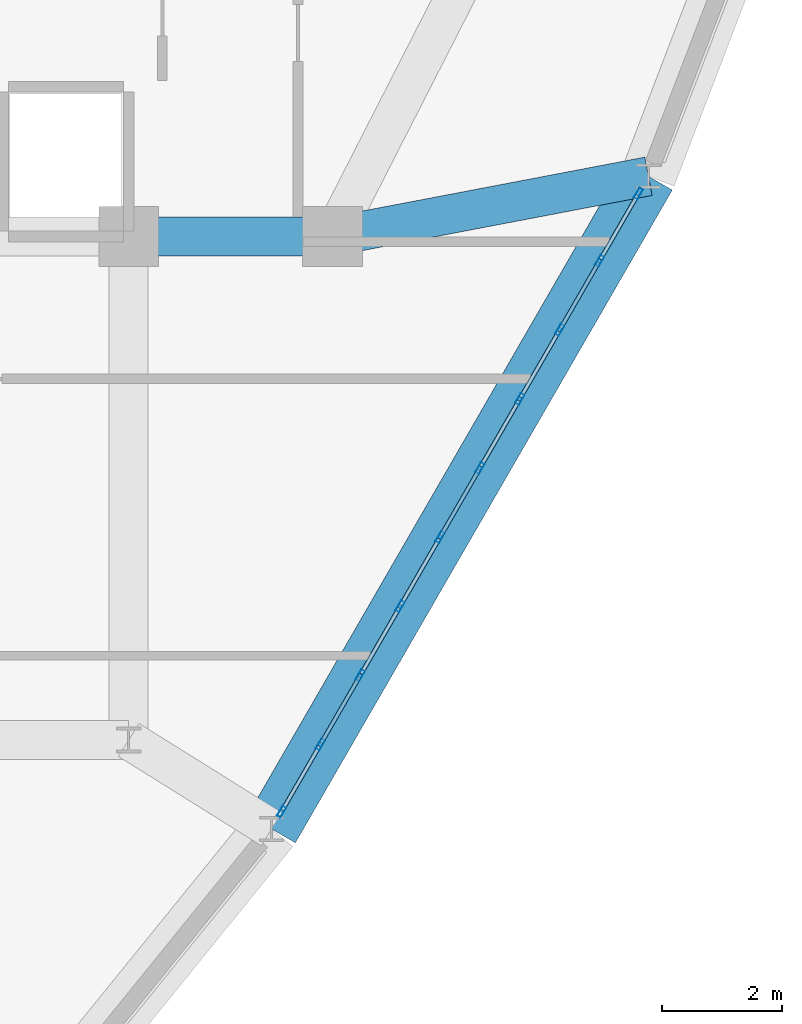
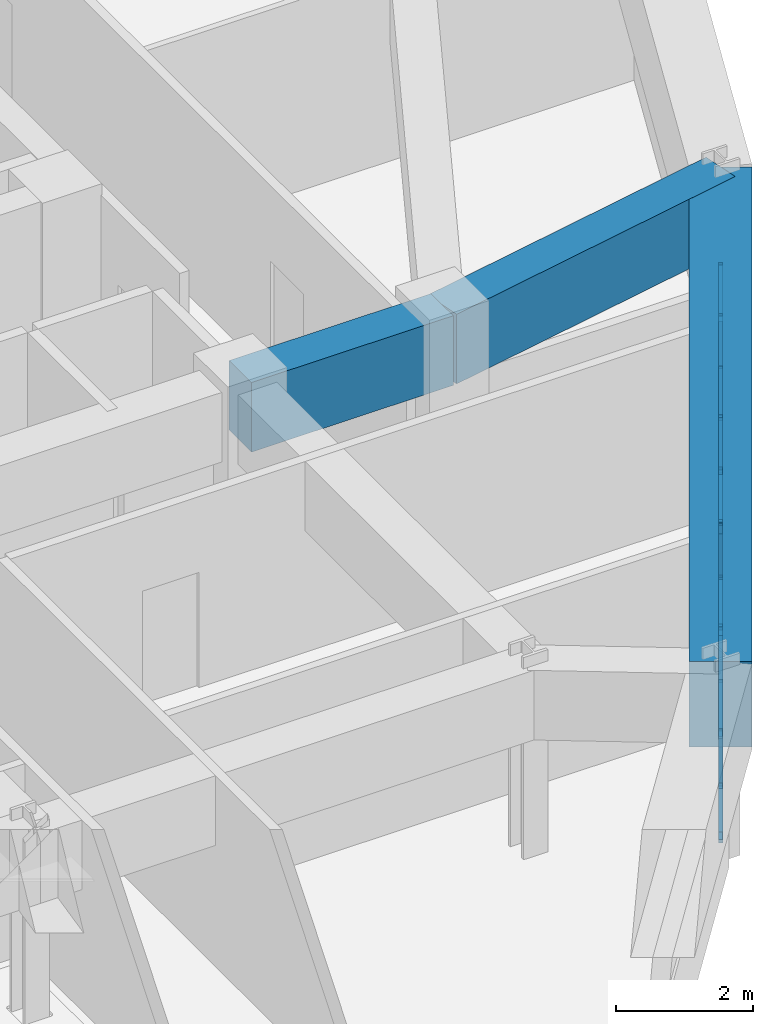
# One storey, part 6 of 13: 31 members, 3 beams, 1 element without a shape of its own.
"""IFC4 building model written with IfcOpenShell, lengths in metres."""

import ifcopenshell
import ifcopenshell.guid

model = None  # the IFC model being written
_history = None  # IfcOwnerHistory: only IFC2X3 demands one
_inside = {}  # id of a spatial element -> (the spatial element, [elements in it])
_under = {}  # id of a project, library or spatial element -> (it, [spatial elements below it])
_declared = {}  # id of a project -> (the project, [libraries it declares])
_typed = {}  # id of a type object -> (the type object, [elements of that type])
_made_of = {}  # id of a material, layer set ... -> (it, [elements and type objects made of it])


def new_model(schema):
    """Start an empty IFC model of exactly this schema.

    Asked for "IFC4X3", IfcOpenShell would pick the latest addendum, in which some entities
    have other attributes; the version numbers below select the first issue.
    IFC2X3 requires an IfcOwnerHistory on every rooted entity: one is made here for all.
    """
    global model, _history
    if schema == "IFC4X3":
        model = ifcopenshell.file(schema_version=(4, 3, 0, 0))
    else:
        model = ifcopenshell.file(schema=schema)
    _inside.clear()
    _under.clear()
    _declared.clear()
    _typed.clear()
    _made_of.clear()
    _history = None
    if model.schema == "IFC2X3":
        org = make("IfcOrganization", Name="unknown")
        user = make(
            "IfcPersonAndOrganization",
            ThePerson=make("IfcPerson", FamilyName="unknown"),
            TheOrganization=org,
        )
        app = make(
            "IfcApplication",
            ApplicationDeveloper=org,
            Version="unknown",
            ApplicationFullName="unknown",
            ApplicationIdentifier="unknown",
        )
        _history = make(
            "IfcOwnerHistory",
            OwningUser=user,
            OwningApplication=app,
            ChangeAction="ADDED",
            CreationDate=0,
        )
    return model


def make(cls, **values):
    """One entity of the class cls with the attributes given. An attribute that is None is left unset."""
    return model.create_entity(
        cls, **{name: value for name, value in values.items() if value is not None}
    )


def rooted(cls, **values):
    """An entity with a GlobalId (a new one), such as an element, a storey or a relation."""
    return make(cls, GlobalId=ifcopenshell.guid.new(), OwnerHistory=_history, **values)


def si_unit(unit_type, name, prefix=None):
    """IfcSIUnit, for example si_unit("LENGTHUNIT", "METRE", prefix="MILLI")."""
    return make("IfcSIUnit", UnitType=unit_type, Prefix=prefix, Name=name)


def derived_unit(unit_type, elements):
    """IfcDerivedUnit: a product of units, each with its exponent."""
    return make(
        "IfcDerivedUnit",
        Elements=[
            make("IfcDerivedUnitElement", Unit=unit, Exponent=power)
            for unit, power in elements
        ],
        UnitType=unit_type,
    )


def assignment(units):
    """IfcUnitAssignment: the units of a project."""
    return None if units is None else make("IfcUnitAssignment", Units=units)


def point(xyz):
    """IfcCartesianPoint."""
    return None if xyz is None else make("IfcCartesianPoint", Coordinates=xyz)


def direction(xyz):
    """IfcDirection."""
    return None if xyz is None else make("IfcDirection", DirectionRatios=xyz)


def frame(location, z_axis=None, x_axis=None):
    """IfcAxis2Placement3D, a coordinate frame: its origin and axes. An axis left out is left unset."""
    return make(
        "IfcAxis2Placement3D",
        Location=point(location),
        Axis=direction(z_axis),
        RefDirection=direction(x_axis),
    )


def frame_2d(location, x_axis=None):
    """IfcAxis2Placement2D, a coordinate frame in the plane: its origin and x axis."""
    return make(
        "IfcAxis2Placement2D", Location=point(location), RefDirection=direction(x_axis)
    )


def origin():
    """The frame at (0, 0, 0) with its axes left unset."""
    return frame((0.0, 0.0, 0.0))


def origin_2d():
    """The frame at (0, 0) in the plane with its x axis left unset."""
    return frame_2d((0.0, 0.0))


def place(relative_to, where):
    """IfcLocalPlacement: puts the frame where relative to a parent placement (None: the world)."""
    return make(
        "IfcLocalPlacement", PlacementRelTo=relative_to, RelativePlacement=where
    )


def context(
    kind, dimensions, precision=None, world=None, true_north=None, identifier=None
):
    """IfcGeometricRepresentationContext, for example the 3D "Model" context."""
    return make(
        "IfcGeometricRepresentationContext",
        ContextIdentifier=identifier,
        ContextType=kind,
        CoordinateSpaceDimension=dimensions,
        Precision=precision,
        WorldCoordinateSystem=world,
        TrueNorth=true_north,
    )


def subcontext(parent, identifier, kind, view, scale=None):
    """IfcGeometricRepresentationSubContext, for example "Body" below "Model"."""
    return make(
        "IfcGeometricRepresentationSubContext",
        ContextIdentifier=identifier,
        ContextType=kind,
        ParentContext=parent,
        TargetScale=scale,
        TargetView=view,
    )


def project(units=None, contexts=None):
    """IfcProject with its units and contexts."""
    return rooted(
        "IfcProject",
        Name="project",
        RepresentationContexts=contexts,
        UnitsInContext=assignment(units),
    )


def spatial(cls, under=None, at=None, **own):
    """A site, building, storey or space (cls), placed at a placement, below another one or the project."""
    s = rooted(cls, ObjectPlacement=at, **own)
    if under is not None:
        _under.setdefault(under.id(), (under, []))[1].append(s)
    return s


def profile(cls, at=None, kind="AREA", **sizes):
    """A parametric profile (cls). Its sizes go by their IFC names, for example OverallWidth=200.0."""
    return make(cls, ProfileType=kind, Position=at, **sizes)


def rectangle(**sizes):
    """IfcRectangleProfileDef."""
    return profile("IfcRectangleProfileDef", **sizes)


def hollow_rectangle(**sizes):
    """IfcRectangleHollowProfileDef."""
    return profile("IfcRectangleHollowProfileDef", **sizes)


def extrude(swept, where, along, depth):
    """IfcExtrudedAreaSolid: the profile swept, set in the frame where, extruded along a direction by depth."""
    return make(
        "IfcExtrudedAreaSolid",
        SweptArea=swept,
        Position=where,
        ExtrudedDirection=direction(along),
        Depth=depth,
    )


def shape(context_of_items, identifier, shape_type, items):
    """IfcShapeRepresentation: the items that make up one representation, for example the "Body"."""
    return make(
        "IfcShapeRepresentation",
        ContextOfItems=context_of_items,
        RepresentationIdentifier=identifier,
        RepresentationType=shape_type,
        Items=items,
    )


def source(mapping_origin, context_of_items, identifier, shape_type, items):
    """IfcRepresentationMap: a shape defined once, which mapped items show again and again."""
    return make(
        "IfcRepresentationMap",
        MappingOrigin=mapping_origin,
        MappedRepresentation=shape(context_of_items, identifier, shape_type, items),
    )


def transform(
    local_origin,
    x_axis=None,
    y_axis=None,
    z_axis=None,
    scale=None,
    scale2=None,
    scale3=None,
    uniform=True,
):
    """IfcCartesianTransformationOperator3D, or its non-uniform kind. x_axis, y_axis, z_axis: its Axis1, 2, 3."""
    if uniform:
        return make(
            "IfcCartesianTransformationOperator3D",
            Axis1=direction(x_axis),
            Axis2=direction(y_axis),
            LocalOrigin=point(local_origin),
            Scale=scale,
            Axis3=direction(z_axis),
        )
    return make(
        "IfcCartesianTransformationOperator3DnonUniform",
        Axis1=direction(x_axis),
        Axis2=direction(y_axis),
        LocalOrigin=point(local_origin),
        Scale=scale,
        Axis3=direction(z_axis),
        Scale2=scale2,
        Scale3=scale3,
    )


def mapped(mapping_source, mapping_target):
    """IfcMappedItem: shows the shape of a source again, moved by a transform."""
    return make(
        "IfcMappedItem", MappingSource=mapping_source, MappingTarget=mapping_target
    )


def material(Name=None, Category=None):
    """IfcMaterial."""
    return make("IfcMaterial", Name=Name, Category=Category)


def layer(
    of_material, thickness, ventilated=None, Name=None, Category=None, Priority=None
):
    """IfcMaterialLayer: one layer of a wall or slab, of a material (None: an air gap)."""
    return make(
        "IfcMaterialLayer",
        Material=of_material,
        LayerThickness=thickness,
        IsVentilated=ventilated,
        Name=Name,
        Category=Category,
        Priority=Priority,
    )


def layer_set(layers, Name=None):
    """IfcMaterialLayerSet."""
    return make("IfcMaterialLayerSet", MaterialLayers=layers, LayerSetName=Name)


def material_profile(
    of_material, cross_section, Name=None, Category=None, Priority=None
):
    """IfcMaterialProfile: a cross section and its material."""
    return make(
        "IfcMaterialProfile",
        Name=Name,
        Material=of_material,
        Profile=cross_section,
        Priority=Priority,
        Category=Category,
    )


def profile_set(profiles, Name=None, composite=None):
    """IfcMaterialProfileSet."""
    return make(
        "IfcMaterialProfileSet",
        Name=Name,
        MaterialProfiles=profiles,
        CompositeProfile=composite,
    )


def made_of(thing, what):
    """Note that an element or type object is made of a material, layer set ...; save() writes the relation."""
    if what is not None:
        _made_of.setdefault(what.id(), (what, []))[1].append(thing)
    return thing


def type_object(cls, material=None, **own):
    """A type object (cls), such as IfcWallType, which elements share."""
    return made_of(rooted(cls, **own), material)


def element(
    cls,
    number,
    at=None,
    inside=None,
    cuts=None,
    type_object=None,
    material=None,
    context=None,
    identifier="Body",
    shape_type=None,
    held_by="IfcProductDefinitionShape",
    body=None,
    shapes=None,
    **own,
):
    """One element of the class cls, such as IfcWall. Its Tag is "e" and its number.

    at: its placement. inside: the storey or other place that contains it. cuts: it is an
    opening in that element (IfcRelVoidsElement). A single representation is given by context,
    identifier, shape_type and body (its items); several are given by shapes. held_by: the class
    of the entity that holds the representations. save() writes the other relations.
    """
    e = rooted(cls, Tag="e%d" % number, ObjectPlacement=at, **own)
    if body is not None:
        shapes = [shape(context, identifier, shape_type, body)]
    if shapes is not None:
        e.Representation = make(held_by, Representations=shapes)
    if inside is not None:
        _inside.setdefault(inside.id(), (inside, []))[1].append(e)
    if cuts is not None:
        rooted(
            "IfcRelVoidsElement", RelatingBuildingElement=cuts, RelatedOpeningElement=e
        )
    if type_object is not None:
        _typed.setdefault(type_object.id(), (type_object, []))[1].append(e)
    return made_of(e, material)


def aggregate(whole, parts):
    """IfcRelAggregates: a whole, such as a stair, and the parts it consists of."""
    return rooted("IfcRelAggregates", RelatingObject=whole, RelatedObjects=parts)


def save(model, path):
    """Write the relations noted so far, then the file.

    IfcRelAggregates (storeys below a building ...), IfcRelContainedInSpatialStructure (elements
    in a storey), IfcRelDefinesByType, IfcRelAssociatesMaterial and IfcRelDeclares: one each for
    every whole, place, type object, material and project.
    """
    for whole, parts in _under.values():
        aggregate(whole, parts)
    for where, things in _inside.values():
        rooted(
            "IfcRelContainedInSpatialStructure",
            RelatedElements=things,
            RelatingStructure=where,
        )
    for kind, things in _typed.values():
        rooted("IfcRelDefinesByType", RelatedObjects=things, RelatingType=kind)
    for what, things in _made_of.values():
        rooted("IfcRelAssociatesMaterial", RelatedObjects=things, RelatingMaterial=what)
    for by, libraries in _declared.values():
        rooted("IfcRelDeclares", RelatingContext=by, RelatedDefinitions=libraries)
    model.write(path)


model = new_model("IFC4")

# Units and contexts
model_context = context("Model", 3, precision=1e-05, world=origin(), true_north=direction((0.0, 1.0)))
body_context = subcontext(model_context, "Body", "Model", "MODEL_VIEW")
ifc_project = project(units=[si_unit("LENGTHUNIT", "METRE"), si_unit("AREAUNIT", "SQUARE_METRE"), si_unit("VOLUMEUNIT", "CUBIC_METRE"), si_unit("PLANEANGLEUNIT", "RADIAN"), si_unit("MASSUNIT", "GRAM", prefix="KILO"), derived_unit("THERMALTRANSMITTANCEUNIT", [(si_unit("POWERUNIT", "WATT"), 1), (si_unit("LENGTHUNIT", "METRE"), -2), (si_unit("THERMODYNAMICTEMPERATUREUNIT", "KELVIN"), -1)])], contexts=[model_context])

# Site, building, storey
site_placement = place(None, origin())
site = spatial("IfcSite", under=ifc_project, at=site_placement, CompositionType="ELEMENT")
building_placement = place(site_placement, origin())
building = spatial("IfcBuilding", under=site, at=building_placement, Name="Korsvarv Bourse and Concert Hall", CompositionType="ELEMENT")
storey_placement = place(building_placement, frame((0.0, 0.0, 179.39990234375)))
storey = spatial("IfcBuildingStorey", under=building, at=storey_placement, Name="L46", CompositionType="ELEMENT", Elevation=179.39990234375)

# Beams
ifc_material_1 = material(Name="Concrete C50/60", Category="concrete")
ifc_material_profile_1 = material_profile(ifc_material_1, rectangle(XDim=0.64990234375, YDim=1.239990234375, at=origin_2d()), Name="RC-BM 650x1240")
ifc_profile_set_1 = profile_set([ifc_material_profile_1], Name="Concrete C50/60")
beam_type_1 = type_object("IfcBeamType", Name="BM-TR-SPN", PredefinedType="BEAM", material=ifc_profile_set_1)
shared_shape_1 = source(origin(), body_context, "Body", "SweptSolid", [
    extrude(rectangle(XDim=0.64990234375, YDim=1.239990234375, at=origin_2d()), origin(), (0.0, 0.0, 1.0), 3.400146484375),
])
beam_1_placement = place(storey_placement, frame((44.39990234375, 32.39990234375, 2.780029296875), z_axis=(1.0, 0.0, 0.0), x_axis=(0.0, 1.0, 0.0)))
element("IfcBeam", 1, at=beam_1_placement, inside=storey, type_object=beam_type_1, Name="L46 beam B-TRS", PredefinedType="BEAM", context=body_context, shape_type="MappedRepresentation", body=[
    mapped(shared_shape_1, transform((0.0, 0.0, 0.0), scale=1.0)),
])
ifc_material_profile_2 = material_profile(ifc_material_1, rectangle(XDim=0.919921875, YDim=1.530029296875, at=origin_2d()), Name="RC-BM 920x1530")
ifc_profile_set_2 = profile_set([ifc_material_profile_2], Name="Concrete C50/60")
beam_type_2 = type_object("IfcBeamType", Name="BM-TR-154", PredefinedType="BEAM", material=ifc_profile_set_2)
shared_shape_2 = source(origin(), body_context, "Body", "SweptSolid", [
    extrude(rectangle(XDim=0.919921875, YDim=1.530029296875, at=origin_2d()), origin(), (0.0, 0.0, 1.0), 12.57861328125),
])
beam_2_placement = place(storey_placement, frame((46.783203125, 22.51220703125, 2.635009765625), z_axis=(0.500003032783, 0.866023652799, 0.0), x_axis=(-0.866023652799, 0.500003032783, 0.0)))
element("IfcBeam", 2, at=beam_2_placement, inside=storey, type_object=beam_type_2, Name="L46 beam B-TR6", PredefinedType="BEAM", context=body_context, shape_type="MappedRepresentation", body=[
    mapped(shared_shape_2, transform((0.0, 0.0, 0.0), scale=1.0)),
])
shared_shape_3 = source(origin(), body_context, "Body", "SweptSolid", [
    extrude(rectangle(XDim=0.64990234375, YDim=1.239990234375, at=origin_2d()), origin(), (0.0, 0.0, 1.0), 5.367431640625),
])
beam_3_placement = place(storey_placement, frame((53.072509765625, 33.405517578125, 2.780029296875), z_axis=(-0.982292753488, -0.187352465809, 0.0), x_axis=(0.187352465809, -0.982292753488, 0.0)))
element("IfcBeam", 3, at=beam_3_placement, inside=storey, type_object=beam_type_1, Name="L46 beam B-TRS", PredefinedType="BEAM", context=body_context, shape_type="MappedRepresentation", body=[
    mapped(shared_shape_3, transform((0.0, 0.0, 0.0), scale=1.0)),
])

# Curtain wall, members
ifc_material_2 = material(Name="Anodised aluminium and triple low-E glazing", Category="glass")
ifc_layer = layer(ifc_material_2, 0.199951171875)
ifc_layer_set = layer_set([ifc_layer], Name="Anodised aluminium and triple low-E glazing")
curtain_wall_type = type_object("IfcCurtainWallType", Name="CW-SYS-3", PredefinedType="NOTDEFINED", material=ifc_layer_set)
curtain_wall_placement = place(storey_placement, origin())
curtain_wall = element("IfcCurtainWall", 4, at=curtain_wall_placement, inside=storey, type_object=curtain_wall_type, Name="L46 CW3 curtain wall CW-L46-F11", PredefinedType="NOTDEFINED")
ifc_material_3 = material(Name="Extruded aluminium EN AW-6063 T66", Category="aluminium")
ifc_material_profile_3 = material_profile(ifc_material_3, hollow_rectangle(XDim=0.070068359375, YDim=0.18994140625, WallThickness=0.0048828125, at=origin_2d()), Name="ALU-M 70x190")
ifc_profile_set_3 = profile_set([ifc_material_profile_3], Name="Extruded aluminium EN AW-6063 T66")
member_type_1 = type_object("IfcMemberType", Name="CWM-190", PredefinedType="MULLION", material=ifc_profile_set_3)
shared_shape_4 = source(origin(), body_context, "Body", "SweptSolid", [
    extrude(hollow_rectangle(XDim=0.070068359375, YDim=0.18994140625, WallThickness=0.0048828125, at=origin_2d()), origin(), (0.0, 0.0, 1.0), 1.8701171875),
])
member_1_placement = place(storey_placement, frame((46.94970703125, 22.80029296875, 0.0), z_axis=(0.0, 0.0, 1.0), x_axis=(-0.866028825281, 0.499994073747, 0.0)))
member_1 = element("IfcMember", 5, at=member_1_placement, type_object=member_type_1, Name="CW3 mullion 1", PredefinedType="MULLION", context=body_context, shape_type="MappedRepresentation", body=[
    mapped(shared_shape_4, transform((0.0, 0.0, 0.0), scale=1.0)),
])
member_2_placement = place(storey_placement, frame((47.597900390625, 23.923095703125, 0.0), z_axis=(0.0, 0.0, 1.0), x_axis=(-0.866028825281, 0.499994073747, 0.0)))
member_2 = element("IfcMember", 6, at=member_2_placement, type_object=member_type_1, Name="CW3 mullion 2", PredefinedType="MULLION", context=body_context, shape_type="MappedRepresentation", body=[
    mapped(shared_shape_4, transform((0.0, 0.0, 0.0), scale=1.0)),
])
member_3_placement = place(storey_placement, frame((48.263427734375, 25.076171875, 0.0), z_axis=(0.0, 0.0, 1.0), x_axis=(-0.866028825281, 0.499994073747, 0.0)))
member_3 = element("IfcMember", 7, at=member_3_placement, type_object=member_type_1, Name="CW3 mullion 3", PredefinedType="MULLION", context=body_context, shape_type="MappedRepresentation", body=[
    mapped(shared_shape_4, transform((0.0, 0.0, 0.0), scale=1.0)),
])
member_4_placement = place(storey_placement, frame((48.92919921875, 26.229248046875, 0.0), z_axis=(0.0, 0.0, 1.0), x_axis=(-0.866028825281, 0.499994073747, 0.0)))
member_4 = element("IfcMember", 8, at=member_4_placement, type_object=member_type_1, Name="CW3 mullion 4", PredefinedType="MULLION", context=body_context, shape_type="MappedRepresentation", body=[
    mapped(shared_shape_4, transform((0.0, 0.0, 0.0), scale=1.0)),
])
member_5_placement = place(storey_placement, frame((49.594970703125, 27.38232421875, 0.0), z_axis=(0.0, 0.0, 1.0), x_axis=(-0.866028825281, 0.499994073747, 0.0)))
member_5 = element("IfcMember", 9, at=member_5_placement, type_object=member_type_1, Name="CW3 mullion 5", PredefinedType="MULLION", context=body_context, shape_type="MappedRepresentation", body=[
    mapped(shared_shape_4, transform((0.0, 0.0, 0.0), scale=1.0)),
])
member_6_placement = place(storey_placement, frame((50.260498046875, 28.535400390625, 0.0), z_axis=(0.0, 0.0, 1.0), x_axis=(-0.866028825281, 0.499994073747, 0.0)))
member_6 = element("IfcMember", 10, at=member_6_placement, type_object=member_type_1, Name="CW3 mullion 6", PredefinedType="MULLION", context=body_context, shape_type="MappedRepresentation", body=[
    mapped(shared_shape_4, transform((0.0, 0.0, 0.0), scale=1.0)),
])
member_7_placement = place(storey_placement, frame((50.92626953125, 29.6884765625, 0.0), z_axis=(0.0, 0.0, 1.0), x_axis=(-0.866028825281, 0.499994073747, 0.0)))
member_7 = element("IfcMember", 11, at=member_7_placement, type_object=member_type_1, Name="CW3 mullion 7", PredefinedType="MULLION", context=body_context, shape_type="MappedRepresentation", body=[
    mapped(shared_shape_4, transform((0.0, 0.0, 0.0), scale=1.0)),
])
member_8_placement = place(storey_placement, frame((51.592041015625, 30.84130859375, 0.0), z_axis=(0.0, 0.0, 1.0), x_axis=(-0.866028825281, 0.499994073747, 0.0)))
member_8 = element("IfcMember", 12, at=member_8_placement, type_object=member_type_1, Name="CW3 mullion 8", PredefinedType="MULLION", context=body_context, shape_type="MappedRepresentation", body=[
    mapped(shared_shape_4, transform((0.0, 0.0, 0.0), scale=1.0)),
])
member_9_placement = place(storey_placement, frame((52.2578125, 31.994384765625, 0.0), z_axis=(0.0, 0.0, 1.0), x_axis=(-0.866028825281, 0.499994073747, 0.0)))
member_9 = element("IfcMember", 13, at=member_9_placement, type_object=member_type_1, Name="CW3 mullion 9", PredefinedType="MULLION", context=body_context, shape_type="MappedRepresentation", body=[
    mapped(shared_shape_4, transform((0.0, 0.0, 0.0), scale=1.0)),
])
member_10_placement = place(storey_placement, frame((52.906005859375, 33.1171875, 0.0), z_axis=(0.0, 0.0, 1.0), x_axis=(-0.866028825281, 0.499994073747, 0.0)))
member_10 = element("IfcMember", 14, at=member_10_placement, type_object=member_type_1, Name="CW3 mullion 10", PredefinedType="MULLION", context=body_context, shape_type="MappedRepresentation", body=[
    mapped(shared_shape_4, transform((0.0, 0.0, 0.0), scale=1.0)),
])
ifc_material_profile_4 = material_profile(ifc_material_3, hollow_rectangle(XDim=0.06494140625, YDim=0.139892578125, WallThickness=0.00390625, at=origin_2d()), Name="ALU-T 65x140")
ifc_profile_set_4 = profile_set([ifc_material_profile_4], Name="Extruded aluminium EN AW-6063 T66")
member_type_2 = type_object("IfcMemberType", Name="CWT-140", PredefinedType="USERDEFINED", material=ifc_profile_set_4)
shared_shape_5 = source(origin(), body_context, "Body", "SweptSolid", [
    extrude(hollow_rectangle(XDim=0.06494140625, YDim=0.139892578125, WallThickness=0.00390625, at=origin_2d()), origin(), (0.0, 0.0, 1.0), 1.2265625),
])
member_11_placement = place(storey_placement, frame((52.275146484375, 32.024658203125, 0.03271484375), z_axis=(0.49999238347, 0.866029801145, 0.0), x_axis=(-0.866029801145, 0.49999238347, 0.0)))
member_11 = element("IfcMember", 15, at=member_11_placement, type_object=member_type_2, Name="CW3 transom 9.1", ObjectType="TRANSOM", PredefinedType="USERDEFINED", context=body_context, shape_type="MappedRepresentation", body=[
    mapped(shared_shape_5, transform((0.0, 0.0, 0.0), scale=1.0)),
])
member_12_placement = place(storey_placement, frame((52.275146484375, 32.024658203125, 1.837646484375), z_axis=(0.49999238347, 0.866029801145, 0.0), x_axis=(-0.866029801145, 0.49999238347, 0.0)))
member_12 = element("IfcMember", 16, at=member_12_placement, type_object=member_type_2, Name="CW3 transom 9.2", ObjectType="TRANSOM", PredefinedType="USERDEFINED", context=body_context, shape_type="MappedRepresentation", body=[
    mapped(shared_shape_5, transform((0.0, 0.0, 0.0), scale=1.0)),
])
shared_shape_6 = source(origin(), body_context, "Body", "SweptSolid", [
    extrude(hollow_rectangle(XDim=0.06494140625, YDim=0.139892578125, WallThickness=0.00390625, at=origin_2d()), origin(), (0.0, 0.0, 1.0), 1.26123046875),
])
member_13_placement = place(storey_placement, frame((50.278076171875, 28.565673828125, 0.03271484375), z_axis=(0.499990548297, 0.866030860659, 0.0), x_axis=(-0.866030860659, 0.499990548297, 0.0)))
member_13 = element("IfcMember", 17, at=member_13_placement, type_object=member_type_2, Name="CW3 transom 6.1", ObjectType="TRANSOM", PredefinedType="USERDEFINED", context=body_context, shape_type="MappedRepresentation", body=[
    mapped(shared_shape_6, transform((0.0, 0.0, 0.0), scale=1.0)),
])
member_14_placement = place(storey_placement, frame((50.278076171875, 28.565673828125, 1.837646484375), z_axis=(0.499990548297, 0.866030860659, 0.0), x_axis=(-0.866030860659, 0.499990548297, 0.0)))
member_14 = element("IfcMember", 18, at=member_14_placement, type_object=member_type_2, Name="CW3 transom 6.2", ObjectType="TRANSOM", PredefinedType="USERDEFINED", context=body_context, shape_type="MappedRepresentation", body=[
    mapped(shared_shape_6, transform((0.0, 0.0, 0.0), scale=1.0)),
])
member_15_placement = place(storey_placement, frame((50.94384765625, 29.71875, 0.03271484375), z_axis=(0.499990548297, 0.866030860659, 0.0), x_axis=(-0.866030860659, 0.499990548297, 0.0)))
member_15 = element("IfcMember", 19, at=member_15_placement, type_object=member_type_2, Name="CW3 transom 7.1", ObjectType="TRANSOM", PredefinedType="USERDEFINED", context=body_context, shape_type="MappedRepresentation", body=[
    mapped(shared_shape_6, transform((0.0, 0.0, 0.0), scale=1.0)),
])
member_16_placement = place(storey_placement, frame((50.94384765625, 29.71875, 1.837646484375), z_axis=(0.499990548297, 0.866030860659, 0.0), x_axis=(-0.866030860659, 0.499990548297, 0.0)))
member_16 = element("IfcMember", 20, at=member_16_placement, type_object=member_type_2, Name="CW3 transom 7.2", ObjectType="TRANSOM", PredefinedType="USERDEFINED", context=body_context, shape_type="MappedRepresentation", body=[
    mapped(shared_shape_6, transform((0.0, 0.0, 0.0), scale=1.0)),
])
member_17_placement = place(storey_placement, frame((51.609619140625, 30.871826171875, 0.03271484375), z_axis=(0.499990548297, 0.866030860659, 0.0), x_axis=(-0.866030860659, 0.499990548297, 0.0)))
member_17 = element("IfcMember", 21, at=member_17_placement, type_object=member_type_2, Name="CW3 transom 8.1", ObjectType="TRANSOM", PredefinedType="USERDEFINED", context=body_context, shape_type="MappedRepresentation", body=[
    mapped(shared_shape_6, transform((0.0, 0.0, 0.0), scale=1.0)),
])
member_18_placement = place(storey_placement, frame((51.609619140625, 30.871826171875, 1.837646484375), z_axis=(0.499990548297, 0.866030860659, 0.0), x_axis=(-0.866030860659, 0.499990548297, 0.0)))
member_18 = element("IfcMember", 22, at=member_18_placement, type_object=member_type_2, Name="CW3 transom 8.2", ObjectType="TRANSOM", PredefinedType="USERDEFINED", context=body_context, shape_type="MappedRepresentation", body=[
    mapped(shared_shape_6, transform((0.0, 0.0, 0.0), scale=1.0)),
])
ifc_material_profile_5 = material_profile(ifc_material_3, hollow_rectangle(XDim=0.06494140625, YDim=0.1650390625, WallThickness=0.0048828125, at=origin_2d()), Name="ALU-M 65x165")
ifc_profile_set_5 = profile_set([ifc_material_profile_5], Name="Extruded aluminium EN AW-6063 T66")
member_type_3 = type_object("IfcMemberType", Name="CWM-165", PredefinedType="MULLION", material=ifc_profile_set_5)
shared_shape_7 = source(origin(), body_context, "Body", "SweptSolid", [
    extrude(hollow_rectangle(XDim=0.06494140625, YDim=0.1650390625, WallThickness=0.0048828125, at=origin_2d()), origin(), (0.0, 0.0, 1.0), 2.14892578125),
])
member_19_placement = place(storey_placement, frame((51.609619140625, 30.871826171875, 0.065185546875), z_axis=(0.293441848657, 0.508269001506, 0.809663203786), x_axis=(-0.866030860659, 0.499990548297, 0.0)))
member_19 = element("IfcMember", 23, at=member_19_placement, type_object=member_type_3, Name="CW3 diagonal mullion 8", PredefinedType="MULLION", context=body_context, shape_type="MappedRepresentation", body=[
    mapped(shared_shape_7, transform((0.0, 0.0, 0.0), scale=1.0)),
])
shared_shape_8 = source(origin(), body_context, "Body", "SweptSolid", [
    extrude(hollow_rectangle(XDim=0.06494140625, YDim=0.139892578125, WallThickness=0.00390625, at=origin_2d()), origin(), (0.0, 0.0, 1.0), 1.261474609375),
])
member_20_placement = place(storey_placement, frame((47.615234375, 23.953369140625, 0.03271484375), z_axis=(0.500051892845, 0.865995441363, 0.0), x_axis=(-0.865995441363, 0.500051892845, 0.0)))
member_20 = element("IfcMember", 24, at=member_20_placement, type_object=member_type_2, Name="CW3 transom 2.1", ObjectType="TRANSOM", PredefinedType="USERDEFINED", context=body_context, shape_type="MappedRepresentation", body=[
    mapped(shared_shape_8, transform((0.0, 0.0, 0.0), scale=1.0)),
])
member_21_placement = place(storey_placement, frame((47.615234375, 23.953369140625, 1.837646484375), z_axis=(0.500051892845, 0.865995441363, 0.0), x_axis=(-0.865995441363, 0.500051892845, 0.0)))
member_21 = element("IfcMember", 25, at=member_21_placement, type_object=member_type_2, Name="CW3 transom 2.2", ObjectType="TRANSOM", PredefinedType="USERDEFINED", context=body_context, shape_type="MappedRepresentation", body=[
    mapped(shared_shape_8, transform((0.0, 0.0, 0.0), scale=1.0)),
])
member_22_placement = place(storey_placement, frame((48.281005859375, 25.1064453125, 0.03271484375), z_axis=(0.499906742921, 0.86607923909, 0.0), x_axis=(-0.86607923909, 0.499906742921, 0.0)))
member_22 = element("IfcMember", 26, at=member_22_placement, type_object=member_type_2, Name="CW3 transom 3.1", ObjectType="TRANSOM", PredefinedType="USERDEFINED", context=body_context, shape_type="MappedRepresentation", body=[
    mapped(shared_shape_8, transform((0.0, 0.0, 0.0), scale=1.0)),
])
member_23_placement = place(storey_placement, frame((48.281005859375, 25.1064453125, 1.837646484375), z_axis=(0.499906742921, 0.86607923909, 0.0), x_axis=(-0.86607923909, 0.499906742921, 0.0)))
member_23 = element("IfcMember", 27, at=member_23_placement, type_object=member_type_2, Name="CW3 transom 3.2", ObjectType="TRANSOM", PredefinedType="USERDEFINED", context=body_context, shape_type="MappedRepresentation", body=[
    mapped(shared_shape_8, transform((0.0, 0.0, 0.0), scale=1.0)),
])
member_24_placement = place(storey_placement, frame((48.94677734375, 26.259521484375, 0.03271484375), z_axis=(0.499906742921, 0.86607923909, 0.0), x_axis=(-0.86607923909, 0.499906742921, 0.0)))
member_24 = element("IfcMember", 28, at=member_24_placement, type_object=member_type_2, Name="CW3 transom 4.1", ObjectType="TRANSOM", PredefinedType="USERDEFINED", context=body_context, shape_type="MappedRepresentation", body=[
    mapped(shared_shape_8, transform((0.0, 0.0, 0.0), scale=1.0)),
])
member_25_placement = place(storey_placement, frame((48.94677734375, 26.259521484375, 1.837646484375), z_axis=(0.499906742921, 0.86607923909, 0.0), x_axis=(-0.86607923909, 0.499906742921, 0.0)))
member_25 = element("IfcMember", 29, at=member_25_placement, type_object=member_type_2, Name="CW3 transom 4.2", ObjectType="TRANSOM", PredefinedType="USERDEFINED", context=body_context, shape_type="MappedRepresentation", body=[
    mapped(shared_shape_8, transform((0.0, 0.0, 0.0), scale=1.0)),
])
member_26_placement = place(storey_placement, frame((49.6123046875, 27.41259765625, 0.03271484375), z_axis=(0.500051892845, 0.865995441363, 0.0), x_axis=(-0.865995441363, 0.500051892845, 0.0)))
member_26 = element("IfcMember", 30, at=member_26_placement, type_object=member_type_2, Name="CW3 transom 5.1", ObjectType="TRANSOM", PredefinedType="USERDEFINED", context=body_context, shape_type="MappedRepresentation", body=[
    mapped(shared_shape_8, transform((0.0, 0.0, 0.0), scale=1.0)),
])
member_27_placement = place(storey_placement, frame((49.6123046875, 27.41259765625, 1.837646484375), z_axis=(0.500051892845, 0.865995441363, 0.0), x_axis=(-0.865995441363, 0.500051892845, 0.0)))
member_27 = element("IfcMember", 31, at=member_27_placement, type_object=member_type_2, Name="CW3 transom 5.2", ObjectType="TRANSOM", PredefinedType="USERDEFINED", context=body_context, shape_type="MappedRepresentation", body=[
    mapped(shared_shape_8, transform((0.0, 0.0, 0.0), scale=1.0)),
])
shared_shape_9 = source(origin(), body_context, "Body", "SweptSolid", [
    extrude(hollow_rectangle(XDim=0.06494140625, YDim=0.1650390625, WallThickness=0.0048828125, at=origin_2d()), origin(), (0.0, 0.0, 1.0), 2.149169921875),
])
member_28_placement = place(storey_placement, frame((47.615234375, 23.953369140625, 0.065185546875), z_axis=(0.293528717011, 0.508336303648, 0.809589460581), x_axis=(-0.865995441363, 0.500051892845, 0.0)))
member_28 = element("IfcMember", 32, at=member_28_placement, type_object=member_type_3, Name="CW3 diagonal mullion 2", PredefinedType="MULLION", context=body_context, shape_type="MappedRepresentation", body=[
    mapped(shared_shape_9, transform((0.0, 0.0, 0.0), scale=1.0)),
])
member_29_placement = place(storey_placement, frame((50.2431640625, 28.505126953125, 0.065185546875), z_axis=(-0.293528717011, -0.508336303648, 0.809589460581), x_axis=(0.865995441363, -0.500051892845, 0.0)))
member_29 = element("IfcMember", 33, at=member_29_placement, type_object=member_type_3, Name="CW3 diagonal mullion 5", PredefinedType="MULLION", context=body_context, shape_type="MappedRepresentation", body=[
    mapped(shared_shape_9, transform((0.0, 0.0, 0.0), scale=1.0)),
])
shared_shape_10 = source(origin(), body_context, "Body", "SweptSolid", [
    extrude(hollow_rectangle(XDim=0.06494140625, YDim=0.139892578125, WallThickness=0.00390625, at=origin_2d()), origin(), (0.0, 0.0, 1.0), 1.226318359375),
])
member_30_placement = place(storey_placement, frame((46.967041015625, 22.830810546875, 0.03271484375), z_axis=(0.500078582497, 0.865980029404, 0.0), x_axis=(-0.865980029404, 0.500078582497, 0.0)))
member_30 = element("IfcMember", 34, at=member_30_placement, type_object=member_type_2, Name="CW3 transom 1.1", ObjectType="TRANSOM", PredefinedType="USERDEFINED", context=body_context, shape_type="MappedRepresentation", body=[
    mapped(shared_shape_10, transform((0.0, 0.0, 0.0), scale=1.0)),
])
member_31_placement = place(storey_placement, frame((46.967041015625, 22.830810546875, 1.837646484375), z_axis=(0.500078582497, 0.865980029404, 0.0), x_axis=(-0.865980029404, 0.500078582497, 0.0)))
member_31 = element("IfcMember", 35, at=member_31_placement, type_object=member_type_2, Name="CW3 transom 1.2", ObjectType="TRANSOM", PredefinedType="USERDEFINED", context=body_context, shape_type="MappedRepresentation", body=[
    mapped(shared_shape_10, transform((0.0, 0.0, 0.0), scale=1.0)),
])
aggregate(curtain_wall, [member_1, member_2, member_3, member_4, member_5, member_6, member_7, member_8, member_9, member_10, member_30, member_31, member_20, member_21, member_28, member_22, member_23, member_24, member_25, member_26, member_27, member_29, member_13, member_14, member_15, member_16, member_17, member_18, member_19, member_11, member_12])

save(model, "model.ifc")
